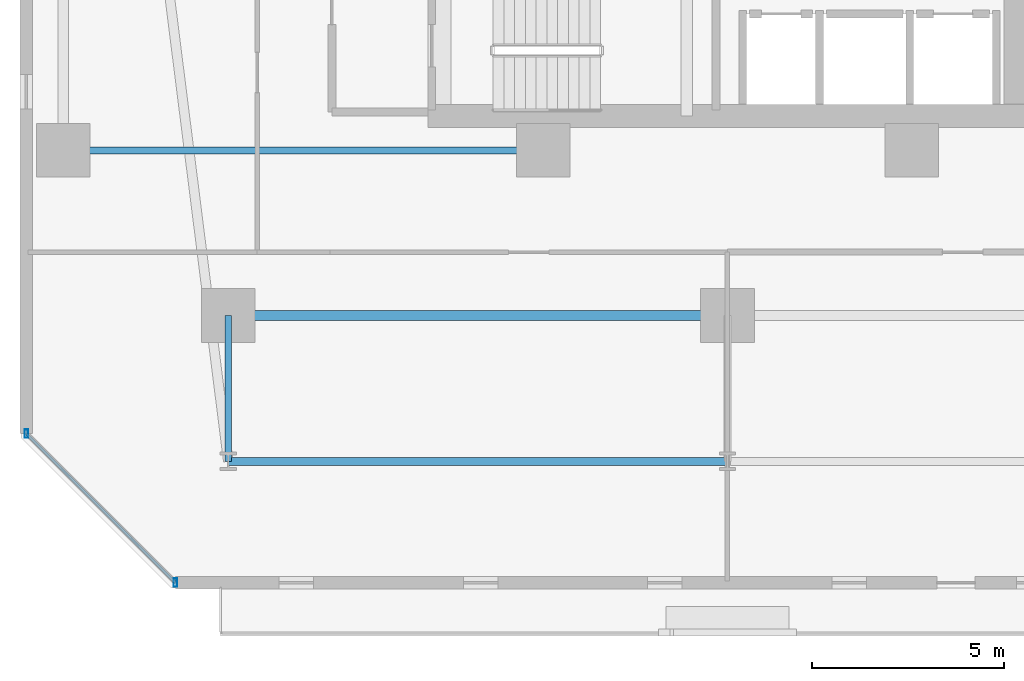
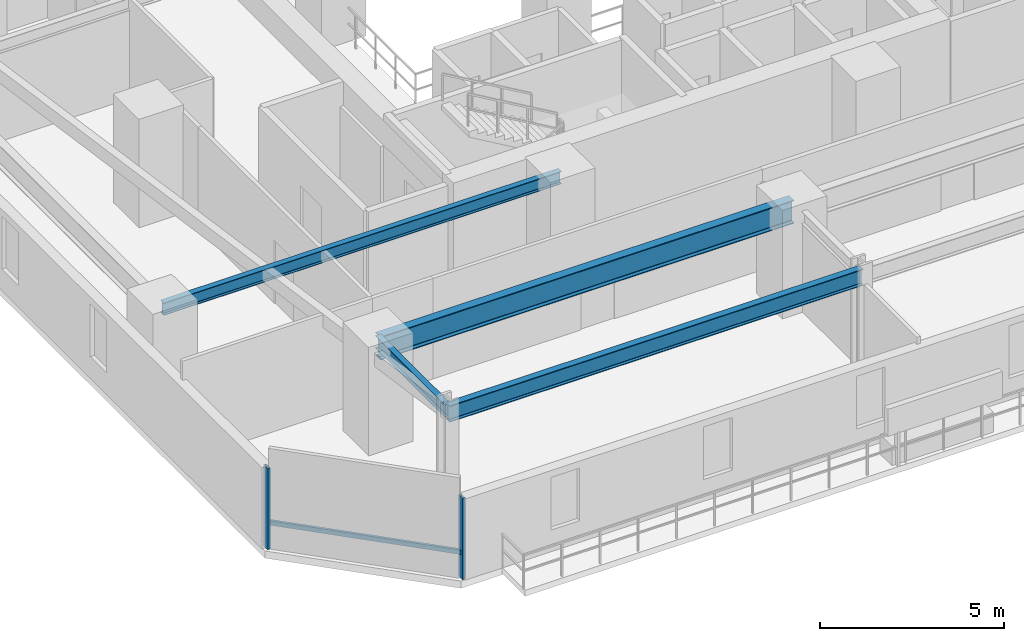
# One storey, part 3 of 34: 4 beams, 3 members, 1 element without a shape of its own.
"""IFC4 building model written with IfcOpenShell, lengths in metres."""

from ifc_helpers import new_model, si_unit, direction, frame, origin, origin_2d, place, context, subcontext, project, spatial, hollow_rectangle, i_section, extrude, material, material_profile, profile_set, type_object, element, aggregate, save


model = new_model("IFC4")

# Units and contexts
model_context = context("Model", 3, precision=1e-05, world=origin(), true_north=direction((0.0, 1.0)))
body_context = subcontext(model_context, "Body", "Model", "MODEL_VIEW")
ifc_project = project(units=[si_unit("LENGTHUNIT", "METRE"), si_unit("AREAUNIT", "SQUARE_METRE"), si_unit("VOLUMEUNIT", "CUBIC_METRE"), si_unit("PLANEANGLEUNIT", "RADIAN"), si_unit("MASSUNIT", "GRAM", prefix="KILO")], contexts=[model_context])

# Site, building, storey
site_placement = place(None, origin())
site = spatial("IfcSite", under=ifc_project, at=site_placement, CompositionType="ELEMENT")
building_placement = place(site_placement, origin())
building = spatial("IfcBuilding", under=site, at=building_placement, Name="Thornwick Lancets Civic Towers", CompositionType="ELEMENT")
storey_placement = place(building_placement, frame((0.0, 0.0, 53.699951171875)))
storey = spatial("IfcBuildingStorey", under=building, at=storey_placement, Name="L13", CompositionType="ELEMENT", Elevation=53.699951171875)

# Beams
ifc_material_1 = material(Name="Steel S355JR", Category="steel")
ifc_material_profile_1 = material_profile(ifc_material_1, i_section(OverallWidth=0.2119140625, OverallDepth=0.54443359375, WebThickness=0.0126953125, FlangeThickness=0.021240234375, FilletRadius=0.0126953125, at=origin_2d()), Name="UKB 533x210x122")
ifc_profile_set_1 = profile_set([ifc_material_profile_1], Name="Steel S355JR")
beam_type_1 = type_object("IfcBeamType", Name="BM_EDGE_533_122", PredefinedType="SPANDREL", material=ifc_profile_set_1)
beam_1_placement = place(storey_placement, frame((12.5, 5.89990234375, 3.087890625), z_axis=(1.0, 0.0, 0.0), x_axis=(0.0, 1.0, 0.0)))
element("IfcBeam", 1, at=beam_1_placement, inside=storey, type_object=beam_type_1, Name="BM-EDGE-L13-A-S0-1", PredefinedType="SPANDREL", context=body_context, shape_type="SweptSolid", body=[
    extrude(i_section(OverallWidth=0.2119140625, OverallDepth=0.54443359375, WebThickness=0.0126953125, FlangeThickness=0.021240234375, FilletRadius=0.0126953125, at=origin_2d()), origin(), (0.0, 0.0, 1.0), 13.0),
])
ifc_material_profile_2 = material_profile(ifc_material_1, i_section(OverallWidth=0.26806640625, OverallDepth=0.769775390625, WebThickness=0.015625, FlangeThickness=0.025390625, FilletRadius=0.0166015625, at=origin_2d()), Name="UKB 762x267x197")
ifc_profile_set_2 = profile_set([ifc_material_profile_2], Name="Steel S355JR")
beam_type_2 = type_object("IfcBeamType", Name="BM_GIRD_762_197", PredefinedType="BEAM", material=ifc_profile_set_2)
beam_2_placement = place(storey_placement, frame((12.5, 9.699951171875, 2.97509765625), z_axis=(1.0, 0.0, 0.0), x_axis=(0.0, 1.0, 0.0)))
element("IfcBeam", 2, at=beam_2_placement, inside=storey, type_object=beam_type_2, Name="BM-SPINE-L13-A-0-1", PredefinedType="BEAM", context=body_context, shape_type="SweptSolid", body=[
    extrude(i_section(OverallWidth=0.26806640625, OverallDepth=0.769775390625, WebThickness=0.015625, FlangeThickness=0.025390625, FilletRadius=0.0166015625, at=origin_2d()), origin(), (0.0, 0.0, 1.0), 13.0),
])
ifc_material_profile_3 = material_profile(ifc_material_1, i_section(OverallWidth=0.179443359375, OverallDepth=0.412841796875, WebThickness=0.009521484375, FlangeThickness=0.01611328125, FilletRadius=0.01025390625, at=origin_2d()), Name="UKB 406x178x74")
ifc_profile_set_3 = profile_set([ifc_material_profile_3], Name="Steel S355JR")
beam_type_3 = type_object("IfcBeamType", Name="BM_JOIST_406_74", PredefinedType="JOIST", material=ifc_profile_set_3)
beam_3_placement = place(storey_placement, frame((12.5, 9.699951171875, 3.153564453125), z_axis=(0.0, -1.0, 0.0), x_axis=(1.0, 0.0, 0.0)))
element("IfcBeam", 3, at=beam_3_placement, inside=storey, type_object=beam_type_3, Name="BM-RAD-L13-A01", PredefinedType="JOIST", context=body_context, shape_type="SweptSolid", body=[
    extrude(i_section(OverallWidth=0.179443359375, OverallDepth=0.412841796875, WebThickness=0.009521484375, FlangeThickness=0.01611328125, FilletRadius=0.01025390625, at=origin_2d()), origin(), (0.0, 0.0, 1.0), 3.800048828125),
])
beam_4_placement = place(storey_placement, frame((20.699951171875, 14.0, 3.153564453125), z_axis=(-1.0, 0.0, 0.0), x_axis=(0.0, -1.0, 0.0)))
element("IfcBeam", 4, at=beam_4_placement, inside=storey, type_object=beam_type_3, Name="BM-RADIN-L13-A10", PredefinedType="JOIST", context=body_context, shape_type="SweptSolid", body=[
    extrude(i_section(OverallWidth=0.179443359375, OverallDepth=0.412841796875, WebThickness=0.009521484375, FlangeThickness=0.01611328125, FilletRadius=0.01025390625, at=origin_2d()), origin(), (0.0, 0.0, 1.0), 12.5),
])

# Curtain wall, members
ifc_material_2 = material(Name="Low-zone chamfered-corner unitised glass curtain wall", Category="glass")
curtain_wall_type = type_object("IfcCurtainWallType", Name="CW_SYS_03", PredefinedType="NOTDEFINED", material=ifc_material_2)
curtain_wall_placement = place(storey_placement, origin())
curtain_wall = element("IfcCurtainWall", 5, at=curtain_wall_placement, inside=storey, type_object=curtain_wall_type, Name="L13 Curtain Wall CW-L13-A-E7", PredefinedType="NOTDEFINED")
ifc_material_3 = material(Name="Thermally broken bronze aluminium S355", Category="steel")
ifc_material_profile_4 = material_profile(ifc_material_3, hollow_rectangle(XDim=0.090087890625, YDim=0.219970703125, WallThickness=0.00634765625, at=origin_2d()), Name="RHS 220x90x6.3")
ifc_profile_set_4 = profile_set([ifc_material_profile_4], Name="Thermally broken bronze aluminium S355")
member_type_1 = type_object("IfcMemberType", Name="CW_MUL_220", PredefinedType="MULLION", material=ifc_profile_set_4)
member_1_placement = place(storey_placement, frame((7.239501953125, 6.622802734375, 0.0), z_axis=(0.0, 0.0, 1.0), x_axis=(1.0, 0.0, 0.0)))
member_1 = element("IfcMember", 6, at=member_1_placement, type_object=member_type_1, Name="CW-L13-A-E7 Mullion 0", PredefinedType="MULLION", context=body_context, shape_type="SweptSolid", body=[
    extrude(hollow_rectangle(XDim=0.090087890625, YDim=0.219970703125, WallThickness=0.00634765625, at=origin_2d()), origin(), (0.0, 0.0, 1.0), 2.699951171875),
])
member_2_placement = place(storey_placement, frame((11.122802734375, 2.739501953125, 0.0), z_axis=(0.0, 0.0, 1.0), x_axis=(1.0, 0.0, 0.0)))
member_2 = element("IfcMember", 7, at=member_2_placement, type_object=member_type_1, Name="CW-L13-A-E7 Mullion 1", PredefinedType="MULLION", context=body_context, shape_type="SweptSolid", body=[
    extrude(hollow_rectangle(XDim=0.090087890625, YDim=0.219970703125, WallThickness=0.00634765625, at=origin_2d()), origin(), (0.0, 0.0, 1.0), 2.699951171875),
])
ifc_material_profile_5 = material_profile(ifc_material_3, hollow_rectangle(XDim=0.074951171875, YDim=0.14990234375, WallThickness=0.0048828125, at=origin_2d()), Name="RHS 150x75x5")
ifc_profile_set_5 = profile_set([ifc_material_profile_5], Name="Thermally broken bronze aluminium S355")
member_type_2 = type_object("IfcMemberType", Name="CW_TRN_150", PredefinedType="USERDEFINED", material=ifc_profile_set_5)
member_3_placement = place(storey_placement, frame((7.25341796875, 6.60888671875, 0.85009765625), z_axis=(0.707106781187, -0.707106781187, 0.0), x_axis=(0.707106781187, 0.707106781187, 0.0)))
member_3 = element("IfcMember", 8, at=member_3_placement, type_object=member_type_2, Name="CW-L13-A-E7 Transom 0", ObjectType="TRANSOM", PredefinedType="USERDEFINED", context=body_context, shape_type="SweptSolid", body=[
    extrude(hollow_rectangle(XDim=0.074951171875, YDim=0.14990234375, WallThickness=0.0048828125, at=origin_2d()), origin(), (0.0, 0.0, 1.0), 5.452392578125),
])
aggregate(curtain_wall, [member_1, member_2, member_3])

save(model, "model.ifc")
